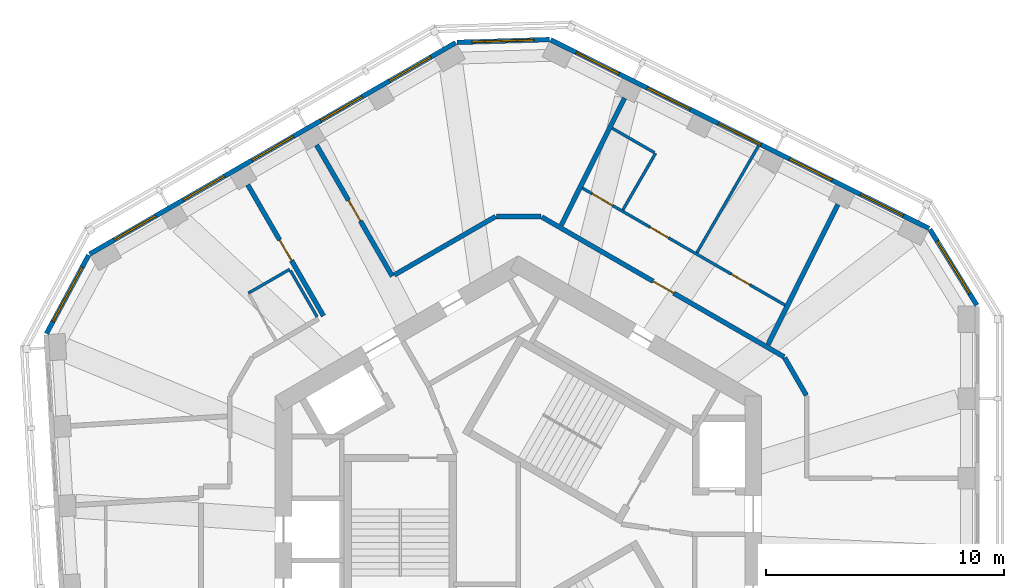
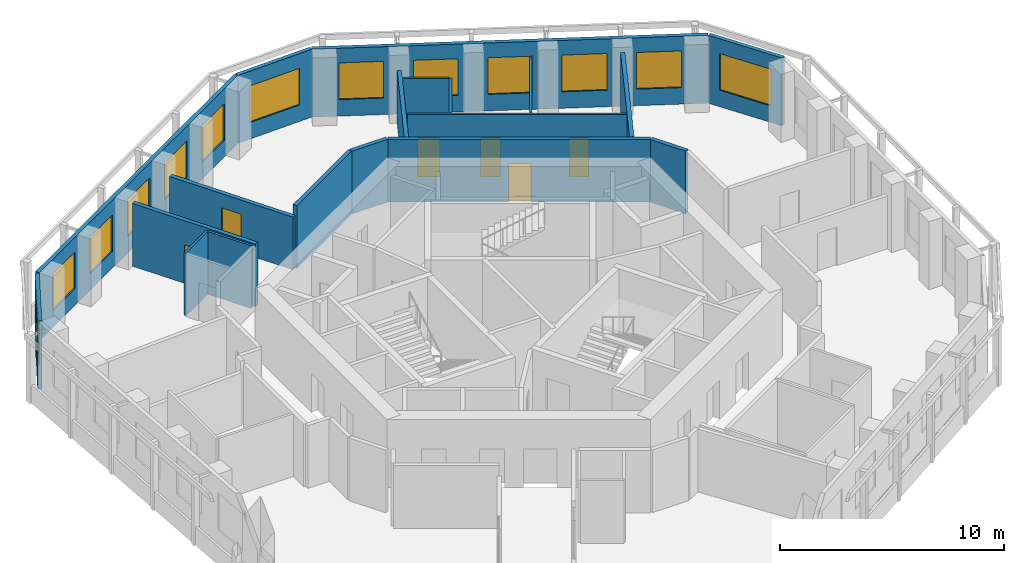
# One storey, part 7 of 10: 19 walls, 13 windows, 6 doors, 19 openings.
"""IFC4 building model written with IfcOpenShell, lengths in metres."""

from ifc_helpers import new_model, si_unit, direction, frame, frame_2d, origin, place, context, subcontext, project, spatial, rectangle, extrude, material, layer, layer_set, type_object, element, fill, save


model = new_model("IFC4")

# Units and contexts
model_context = context("Model", 3, precision=1e-05, world=origin(), true_north=direction((0.0, 1.0)))
body_context = subcontext(model_context, "Body", "Model", "MODEL_VIEW")
ifc_project = project(units=[si_unit("LENGTHUNIT", "METRE"), si_unit("AREAUNIT", "SQUARE_METRE"), si_unit("VOLUMEUNIT", "CUBIC_METRE"), si_unit("PLANEANGLEUNIT", "RADIAN"), si_unit("MASSUNIT", "GRAM", prefix="KILO")], contexts=[model_context])

# Site, building, storey
site_placement = place(None, origin())
site = spatial("IfcSite", under=ifc_project, at=site_placement, CompositionType="ELEMENT")
building_placement = place(site_placement, origin())
building = spatial("IfcBuilding", under=site, at=building_placement, Name="Vanh Sen Convention Tower", CompositionType="ELEMENT")
storey_placement = place(building_placement, frame((0.0, 0.0, 267.199951171875)))
storey = spatial("IfcBuildingStorey", under=building, at=storey_placement, Name="L66", CompositionType="ELEMENT", Elevation=267.199951171875)

# Walls
ifc_material_1 = material(Name="Moisture-resistant gypsum board on steel studs", Category="steel")
ifc_layer_1 = layer(ifc_material_1, 0.1201171875)
ifc_layer_set_1 = layer_set([ifc_layer_1], Name="Moisture-resistant gypsum board on steel studs")
wall_type_1 = type_object("IfcWallType", Name="Bathroom partition 120", PredefinedType="PARTITIONING", material=ifc_layer_set_1)
wall_1_placement = place(storey_placement, frame((-11.318603515625, 10.208251953125, 0.0), z_axis=(0.0, 0.0, 1.0), x_axis=(0.866010750942, 0.50002537861, 0.0)))
element("IfcWall", 1, at=wall_1_placement, inside=storey, type_object=wall_type_1, Name="Bathroom partition 120", PredefinedType="PARTITIONING", context=body_context, shape_type="SweptSolid", body=[
    extrude(rectangle(XDim=2.0, YDim=0.1201171875, at=frame_2d((1.0, 0.0))), origin(), (0.0, 0.0, 1.0), 3.420166015625),
])
wall_2_placement = place(storey_placement, frame((-9.556640625, 11.15625, 0.0), z_axis=(0.0, 0.0, 1.0), x_axis=(0.49994888933, -0.866054910533, 0.0)))
element("IfcWall", 2, at=wall_2_placement, inside=storey, type_object=wall_type_1, Name="Bathroom partition 120", PredefinedType="PARTITIONING", context=body_context, shape_type="SweptSolid", body=[
    extrude(rectangle(XDim=2.239990234375, YDim=0.1201171875, at=frame_2d((1.1201171875, 0.0))), origin(), (0.0, 0.0, 1.0), 3.420166015625),
])
wall_3_placement = place(storey_placement, frame((4.38818359375, 13.70166015625, 0.0), z_axis=(0.0, 0.0, 1.0), x_axis=(0.500048966069, 0.865997131366, 0.0)))
element("IfcWall", 3, at=wall_3_placement, inside=storey, type_object=wall_type_1, Name="Bathroom partition 120", PredefinedType="PARTITIONING", context=body_context, shape_type="SweptSolid", body=[
    extrude(rectangle(XDim=2.739990234375, YDim=0.1201171875, at=frame_2d((1.3701171875, 0.0))), origin(), (0.0, 0.0, 1.0), 3.420166015625),
])
wall_4_placement = place(storey_placement, frame((5.706298828125, 16.1044921875, 0.0), z_axis=(0.0, 0.0, 1.0), x_axis=(-0.866040114423, 0.499974519561, 0.0)))
element("IfcWall", 4, at=wall_4_placement, inside=storey, type_object=wall_type_1, Name="Bathroom partition 120", PredefinedType="PARTITIONING", context=body_context, shape_type="SweptSolid", body=[
    extrude(rectangle(XDim=2.0400390625, YDim=0.1201171875, at=frame_2d((1.02001953125, 0.0))), origin(), (0.0, 0.0, 1.0), 3.420166015625),
])
wall_5_placement = place(storey_placement, frame((10.07177734375, 16.376220703125, 0.0), z_axis=(0.0, 0.0, 1.0), x_axis=(-0.499972385701, -0.86604134632, 0.0)))
element("IfcWall", 5, at=wall_5_placement, inside=storey, type_object=wall_type_1, Name="Bathroom partition 120", PredefinedType="PARTITIONING", context=body_context, shape_type="SweptSolid", body=[
    extrude(rectangle(XDim=5.157958984375, YDim=0.1201171875, at=frame_2d((2.5791015625, 0.0))), origin(), (0.0, 0.0, 1.0), 2.8701171875),
])

# Wall, openings, doors
wall_6_placement = place(storey_placement, frame((11.186767578125, 9.707275390625, 0.0), z_axis=(0.0, 0.0, 1.0), x_axis=(-0.866033133531, 0.499986611447, 0.0)))
wall_6 = element("IfcWall", 6, at=wall_6_placement, inside=storey, type_object=wall_type_1, Name="Bathroom partition 120", PredefinedType="PARTITIONING", context=body_context, shape_type="SweptSolid", body=[
    extrude(rectangle(XDim=9.813720703125, YDim=0.1201171875, at=frame_2d((4.90673828125, 0.0))), origin(), (0.0, 0.0, 1.0), 3.420166015625),
])
opening_1_placement = place(wall_6_placement, frame((8.34912109375, 0.0, 0.0)))
opening_1 = element("IfcOpeningElement", 7, at=opening_1_placement, cuts=wall_6, Name="Opening D64103", PredefinedType="OPENING", context=body_context, shape_type="SweptSolid", body=[
    extrude(rectangle(XDim=1.0, YDim=2.10009765625, at=frame_2d((0.5, 1.050048828125))), frame((0.0, 0.070068359375, 0.0), z_axis=(0.0, -1.0, 0.0), x_axis=(1.0, 0.0, 0.0)), (0.0, 0.0, 1.0), 0.14013671875),
])
opening_2_placement = place(wall_6_placement, frame((1.699951171875, 0.0, 0.0)))
opening_2 = element("IfcOpeningElement", 8, at=opening_2_placement, cuts=wall_6, Name="Opening D64104", PredefinedType="OPENING", context=body_context, shape_type="SweptSolid", body=[
    extrude(rectangle(XDim=0.89990234375, YDim=2.10009765625, at=frame_2d((0.449951171875, 1.050048828125))), frame((0.0, 0.070068359375, 0.0), z_axis=(0.0, -1.0, 0.0), x_axis=(1.0, 0.0, 0.0)), (0.0, 0.0, 1.0), 0.14013671875),
])
opening_3_placement = place(wall_6_placement, frame((5.642333984375, 0.0, 0.0)))
opening_3 = element("IfcOpeningElement", 9, at=opening_3_placement, cuts=wall_6, Name="Opening D64105", PredefinedType="OPENING", context=body_context, shape_type="SweptSolid", body=[
    extrude(rectangle(XDim=0.89990234375, YDim=2.10009765625, at=frame_2d((0.449951171875, 1.050048828125))), frame((0.0, 0.070068359375, 0.0), z_axis=(0.0, -1.0, 0.0), x_axis=(1.0, 0.0, 0.0)), (0.0, 0.0, 1.0), 0.14013671875),
])
ifc_material_2 = material(Name="Laminate door in steel frame", Category="steel")
door_type_1 = type_object("IfcDoorType", Name="Accessible WC door 1000", OperationType="SINGLE_SWING_LEFT", PredefinedType="DOOR", material=ifc_material_2)
door_1_placement = place(opening_1_placement, origin())
door_1 = element("IfcDoor", 10, at=door_1_placement, inside=storey, type_object=door_type_1, Name="Accessible WC door D64103", OperationType="SINGLE_SWING_LEFT", OverallHeight=2.10009765625, OverallWidth=1.0, PredefinedType="DOOR", context=body_context, shape_type="SweptSolid", body=[
    extrude(rectangle(XDim=1.0, YDim=2.10009765625, at=frame_2d((0.5, 1.050048828125))), frame((0.0, 0.02490234375, 0.0), z_axis=(0.0, -1.0, 0.0), x_axis=(1.0, 0.0, 0.0)), (0.0, 0.0, 1.0), 0.050048828125),
])
fill(opening_1, door_1)
door_type_2 = type_object("IfcDoorType", Name="Room internal door 900", OperationType="SINGLE_SWING_LEFT", PredefinedType="DOOR", material=ifc_material_2)
door_2_placement = place(opening_2_placement, origin())
door_2 = element("IfcDoor", 11, at=door_2_placement, inside=storey, type_object=door_type_2, Name="Internal room door D64104", OperationType="SINGLE_SWING_LEFT", OverallHeight=2.10009765625, OverallWidth=0.89990234375, PredefinedType="DOOR", context=body_context, shape_type="SweptSolid", body=[
    extrude(rectangle(XDim=0.89990234375, YDim=2.10009765625, at=frame_2d((0.449951171875, 1.050048828125))), frame((0.0, 0.02490234375, 0.0), z_axis=(0.0, -1.0, 0.0), x_axis=(1.0, 0.0, 0.0)), (0.0, 0.0, 1.0), 0.050048828125),
])
fill(opening_2, door_2)
door_3_placement = place(opening_3_placement, origin())
door_3 = element("IfcDoor", 12, at=door_3_placement, inside=storey, type_object=door_type_2, Name="Internal room door D64105", OperationType="SINGLE_SWING_LEFT", OverallHeight=2.10009765625, OverallWidth=0.89990234375, PredefinedType="DOOR", context=body_context, shape_type="SweptSolid", body=[
    extrude(rectangle(XDim=0.89990234375, YDim=2.10009765625, at=frame_2d((0.449951171875, 1.050048828125))), frame((0.0, 0.02490234375, 0.0), z_axis=(0.0, -1.0, 0.0), x_axis=(1.0, 0.0, 0.0)), (0.0, 0.0, 1.0), 0.050048828125),
])
fill(opening_3, door_3)

# Wall, opening, door
ifc_material_3 = material(Name="Gypsum board on steel studs with mineral wool", Category="steel")
ifc_layer_2 = layer(ifc_material_3, 0.199951171875)
ifc_layer_set_2 = layer_set([ifc_layer_2], Name="Gypsum board on steel studs with mineral wool")
wall_type_2 = type_object("IfcWallType", Name="Corridor partition wall 200", PredefinedType="PARTITIONING", material=ifc_layer_set_2)
wall_7_placement = place(storey_placement, frame((-11.34521484375, 14.754150390625, 0.0), z_axis=(0.0, 0.0, 1.0), x_axis=(0.500005339912, -0.866022320763, 0.0)))
wall_7 = element("IfcWall", 13, at=wall_7_placement, inside=storey, type_object=wall_type_2, Name="Corridor partition wall 200", PredefinedType="PARTITIONING", context=body_context, shape_type="SweptSolid", body=[
    extrude(rectangle(XDim=6.35009765625, YDim=0.199951171875, at=frame_2d((3.175048828125, 0.0))), origin(), (0.0, 0.0, 1.0), 3.420166015625),
])
opening_4_placement = place(wall_7_placement, frame((2.675048828125, 0.0, 0.0)))
opening_4 = element("IfcOpeningElement", 14, at=opening_4_placement, cuts=wall_7, Name="Opening D64107", PredefinedType="OPENING", context=body_context, shape_type="SweptSolid", body=[
    extrude(rectangle(XDim=1.0, YDim=2.10009765625, at=frame_2d((0.5, 1.050048828125))), frame((0.0, 0.10986328125, 0.0), z_axis=(0.0, -1.0, 0.0), x_axis=(1.0, 0.0, 0.0)), (0.0, 0.0, 1.0), 0.219970703125),
])
ifc_material_4 = material(Name="Glazed fire door in steel frame", Category="steel")
door_type_3 = type_object("IfcDoorType", Name="Tenant entrance door 1000", OperationType="SINGLE_SWING_LEFT", PredefinedType="DOOR", material=ifc_material_4)
door_4_placement = place(opening_4_placement, origin())
door_4 = element("IfcDoor", 15, at=door_4_placement, inside=storey, type_object=door_type_3, Name="Tenant suite entrance door D64107", OperationType="SINGLE_SWING_LEFT", OverallHeight=2.10009765625, OverallWidth=1.0, PredefinedType="DOOR", context=body_context, shape_type="SweptSolid", body=[
    extrude(rectangle(XDim=1.0, YDim=2.10009765625, at=frame_2d((0.5, 1.050048828125))), frame((0.0, 0.02490234375, 0.0), z_axis=(0.0, -1.0, 0.0), x_axis=(1.0, 0.0, 0.0)), (0.0, 0.0, 1.0), 0.050048828125),
])
fill(opening_4, door_4)

wall_8_placement = place(storey_placement, frame((-8.4599609375, 16.419921875, 0.0), z_axis=(0.0, 0.0, 1.0), x_axis=(0.500005339912, -0.866022320763, 0.0)))
wall_8 = element("IfcWall", 16, at=wall_8_placement, inside=storey, type_object=wall_type_2, Name="Corridor partition wall 200", PredefinedType="PARTITIONING", context=body_context, shape_type="SweptSolid", body=[
    extrude(rectangle(XDim=6.35009765625, YDim=0.199951171875, at=frame_2d((3.175048828125, 0.0))), origin(), (0.0, 0.0, 1.0), 2.8701171875),
])
opening_5_placement = place(wall_8_placement, frame((2.675048828125, 0.0, 0.0)))
opening_5 = element("IfcOpeningElement", 17, at=opening_5_placement, cuts=wall_8, Name="Opening D64106", PredefinedType="OPENING", context=body_context, shape_type="SweptSolid", body=[
    extrude(rectangle(XDim=1.0, YDim=2.10009765625, at=frame_2d((0.5, 1.050048828125))), frame((0.0, 0.10986328125, 0.0), z_axis=(0.0, -1.0, 0.0), x_axis=(1.0, 0.0, 0.0)), (0.0, 0.0, 1.0), 0.219970703125),
])
ifc_material_5 = material(Name="Timber fire door in steel frame", Category="steel")
door_type_4 = type_object("IfcDoorType", Name="Floor room door 1000", OperationType="SINGLE_SWING_LEFT", PredefinedType="DOOR", material=ifc_material_5)
door_5_placement = place(opening_5_placement, origin())
door_5 = element("IfcDoor", 18, at=door_5_placement, inside=storey, type_object=door_type_4, Name="Meeting and amenity room door D64106", OperationType="SINGLE_SWING_LEFT", OverallHeight=2.10009765625, OverallWidth=1.0, PredefinedType="DOOR", context=body_context, shape_type="SweptSolid", body=[
    extrude(rectangle(XDim=1.0, YDim=2.10009765625, at=frame_2d((0.5, 1.050048828125))), frame((0.0, 0.02490234375, 0.0), z_axis=(0.0, -1.0, 0.0), x_axis=(1.0, 0.0, 0.0)), (0.0, 0.0, 1.0), 0.050048828125),
])
fill(opening_5, door_5)

# Walls
wall_9_placement = place(storey_placement, frame((-0.949951171875, 13.42333984375, 0.0), z_axis=(0.0, 0.0, 1.0), x_axis=(-0.86603557629, -0.499982380289, 0.0)))
element("IfcWall", 19, at=wall_9_placement, inside=storey, type_object=wall_type_2, Name="Corridor partition wall 200", PredefinedType="PARTITIONING", context=body_context, shape_type="SweptSolid", body=[
    extrude(rectangle(XDim=4.905517578125, YDim=0.199951171875, at=frame_2d((2.45263671875, 0.0))), origin(), (0.0, 0.0, 1.0), 3.420166015625),
])
wall_10_placement = place(storey_placement, frame((0.949951171875, 13.42333984375, 0.0), z_axis=(0.0, 0.0, 1.0), x_axis=(-1.0, 0.0, 0.0)))
element("IfcWall", 20, at=wall_10_placement, inside=storey, type_object=wall_type_2, Name="Corridor partition wall 200", PredefinedType="PARTITIONING", context=body_context, shape_type="SweptSolid", body=[
    extrude(rectangle(XDim=1.85986328125, YDim=0.199951171875, at=frame_2d((0.929931640625, 0.0))), origin(), (0.0, 0.0, 1.0), 3.420166015625),
])

# Wall, opening, door
wall_11_placement = place(storey_placement, frame((11.14990234375, 7.534423828125, 0.0), z_axis=(0.0, 0.0, 1.0), x_axis=(-0.866026603062, 0.499997922785, 0.0)))
wall_11 = element("IfcWall", 21, at=wall_11_placement, inside=storey, type_object=wall_type_2, Name="Corridor partition wall 200", PredefinedType="PARTITIONING", context=body_context, shape_type="SweptSolid", body=[
    extrude(rectangle(XDim=11.73779296875, YDim=0.199951171875, at=frame_2d((5.868896484375, 0.0))), origin(), (0.0, 0.0, 1.0), 3.420166015625),
])
opening_6_placement = place(wall_11_placement, frame((5.34521484375, 0.0, 0.0)))
opening_6 = element("IfcOpeningElement", 22, at=opening_6_placement, cuts=wall_11, Name="Opening D64102", PredefinedType="OPENING", context=body_context, shape_type="SweptSolid", body=[
    extrude(rectangle(XDim=1.0, YDim=2.10009765625, at=frame_2d((0.5, 1.050048828125))), frame((0.0, 0.10986328125, 0.0), z_axis=(0.0, -1.0, 0.0), x_axis=(1.0, 0.0, 0.0)), (0.0, 0.0, 1.0), 0.219970703125),
])
door_6_placement = place(opening_6_placement, origin())
door_6 = element("IfcDoor", 23, at=door_6_placement, inside=storey, type_object=door_type_4, Name="Meeting and amenity room door D64102", OperationType="SINGLE_SWING_LEFT", OverallHeight=2.10009765625, OverallWidth=1.0, PredefinedType="DOOR", context=body_context, shape_type="SweptSolid", body=[
    extrude(rectangle(XDim=1.0, YDim=2.10009765625, at=frame_2d((0.5, 1.050048828125))), frame((0.0, 0.02490234375, 0.0), z_axis=(0.0, -1.0, 0.0), x_axis=(1.0, 0.0, 0.0)), (0.0, 0.0, 1.0), 0.050048828125),
])
fill(opening_6, door_6)

# Wall
wall_12_placement = place(storey_placement, frame((12.080078125, 5.923583984375, 0.0), z_axis=(0.0, 0.0, 1.0), x_axis=(-0.500004960326, 0.86602253992, 0.0)))
element("IfcWall", 24, at=wall_12_placement, inside=storey, type_object=wall_type_2, Name="Corridor partition wall 200", PredefinedType="PARTITIONING", context=body_context, shape_type="SweptSolid", body=[
    extrude(rectangle(XDim=1.8203125, YDim=0.199951171875, at=frame_2d((0.91015625, 0.0))), origin(), (0.0, 0.0, 1.0), 3.420166015625),
])

# Wall, opening, window
ifc_material_6 = material(Name="Insulated lightweight infill wall")
ifc_layer_3 = layer(ifc_material_6, 0.199951171875)
ifc_layer_set_3 = layer_set([ifc_layer_3], Name="Insulated lightweight infill wall")
wall_type_3 = type_object("IfcWallType", Name="External wall 200", PredefinedType="STANDARD", material=ifc_layer_set_3)
wall_13_placement = place(storey_placement, frame((19.235107421875, 9.699951171875, 0.0), z_axis=(0.0, 0.0, 1.0), x_axis=(-0.526233475464, 0.850340125656, 0.0)))
wall_13 = element("IfcWall", 25, at=wall_13_placement, inside=storey, type_object=wall_type_3, Name="External wall CH1 L66", PredefinedType="STANDARD", context=body_context, shape_type="SweptSolid", body=[
    extrude(rectangle(XDim=3.746826171875, YDim=0.199951171875, at=frame_2d((1.87353515625, 0.0))), origin(), (0.0, 0.0, 1.0), 3.699951171875),
])
opening_7_placement = place(wall_13_placement, frame((0.573486328125, 0.0, 0.89990234375)))
opening_7 = element("IfcOpeningElement", 26, at=opening_7_placement, cuts=wall_13, Name="Opening WO6-CH11", PredefinedType="OPENING", context=body_context, shape_type="SweptSolid", body=[
    extrude(rectangle(XDim=2.60009765625, YDim=2.0, at=frame_2d((1.300048828125, 1.0))), frame((0.0, 0.10986328125, 0.0), z_axis=(0.0, -1.0, 0.0), x_axis=(1.0, 0.0, 0.0)), (0.0, 0.0, 1.0), 0.219970703125),
])
ifc_material_7 = material(Name="Aluminium frame with clear low-emissivity glass", Category="aluminium")
window_type_1 = type_object("IfcWindowType", Name="Office window 2600 x 2000", PartitioningType="SINGLE_PANEL", PredefinedType="WINDOW", material=ifc_material_7)
window_1_placement = place(opening_7_placement, origin())
window_1 = element("IfcWindow", 27, at=window_1_placement, inside=storey, type_object=window_type_1, Name="Window WO6-CH11", OverallHeight=2.0, OverallWidth=2.60009765625, PartitioningType="SINGLE_PANEL", PredefinedType="WINDOW", context=body_context, shape_type="SweptSolid", body=[
    extrude(rectangle(XDim=2.60009765625, YDim=2.0, at=frame_2d((1.300048828125, 1.0))), frame((0.0, 0.030029296875, 0.0), z_axis=(0.0, -1.0, 0.0), x_axis=(1.0, 0.0, 0.0)), (0.0, 0.0, 1.0), 0.06005859375),
])
fill(opening_7, window_1)

# Wall, openings, windows
wall_14_placement = place(storey_placement, frame((17.222900390625, 12.9228515625, 0.0), z_axis=(0.0, 0.0, 1.0), x_axis=(-0.894930561148, 0.44620543556, 0.0)))
wall_14 = element("IfcWall", 28, at=wall_14_placement, inside=storey, type_object=wall_type_3, Name="External wall NE L66", PredefinedType="STANDARD", context=body_context, shape_type="SweptSolid", body=[
    extrude(rectangle(XDim=17.7314453125, YDim=0.199951171875, at=frame_2d((8.86572265625, 0.0))), origin(), (0.0, 0.0, 1.0), 3.699951171875),
])
opening_8_placement = place(wall_14_placement, frame((1.20166015625, 0.0, 0.89990234375)))
opening_8 = element("IfcOpeningElement", 29, at=opening_8_placement, cuts=wall_14, Name="Opening WO5-NE1", PredefinedType="OPENING", context=body_context, shape_type="SweptSolid", body=[
    extrude(rectangle(XDim=2.0, YDim=2.0, at=frame_2d((1.0, 1.0))), frame((0.0, 0.10986328125, 0.0), z_axis=(0.0, -1.0, 0.0), x_axis=(1.0, 0.0, 0.0)), (0.0, 0.0, 1.0), 0.219970703125),
])
opening_9_placement = place(wall_14_placement, frame((4.533203125, 0.0, 0.89990234375)))
opening_9 = element("IfcOpeningElement", 30, at=opening_9_placement, cuts=wall_14, Name="Opening WO5-NE2", PredefinedType="OPENING", context=body_context, shape_type="SweptSolid", body=[
    extrude(rectangle(XDim=2.0, YDim=2.0, at=frame_2d((1.0, 1.0))), frame((0.0, 0.10986328125, 0.0), z_axis=(0.0, -1.0, 0.0), x_axis=(1.0, 0.0, 0.0)), (0.0, 0.0, 1.0), 0.219970703125),
])
opening_10_placement = place(wall_14_placement, frame((7.864990234375, 0.0, 0.89990234375)))
opening_10 = element("IfcOpeningElement", 31, at=opening_10_placement, cuts=wall_14, Name="Opening WO5-NE3", PredefinedType="OPENING", context=body_context, shape_type="SweptSolid", body=[
    extrude(rectangle(XDim=2.0, YDim=2.0, at=frame_2d((1.0, 1.0))), frame((0.0, 0.10986328125, 0.0), z_axis=(0.0, -1.0, 0.0), x_axis=(1.0, 0.0, 0.0)), (0.0, 0.0, 1.0), 0.219970703125),
])
opening_11_placement = place(wall_14_placement, frame((11.196533203125, 0.0, 0.89990234375)))
opening_11 = element("IfcOpeningElement", 32, at=opening_11_placement, cuts=wall_14, Name="Opening WO5-NE4", PredefinedType="OPENING", context=body_context, shape_type="SweptSolid", body=[
    extrude(rectangle(XDim=2.0, YDim=2.0, at=frame_2d((1.0, 1.0))), frame((0.0, 0.10986328125, 0.0), z_axis=(0.0, -1.0, 0.0), x_axis=(1.0, 0.0, 0.0)), (0.0, 0.0, 1.0), 0.219970703125),
])
opening_12_placement = place(wall_14_placement, frame((14.5283203125, 0.0, 0.89990234375)))
opening_12 = element("IfcOpeningElement", 33, at=opening_12_placement, cuts=wall_14, Name="Opening WO5-NE5", PredefinedType="OPENING", context=body_context, shape_type="SweptSolid", body=[
    extrude(rectangle(XDim=2.0, YDim=2.0, at=frame_2d((1.0, 1.0))), frame((0.0, 0.10986328125, 0.0), z_axis=(0.0, -1.0, 0.0), x_axis=(1.0, 0.0, 0.0)), (0.0, 0.0, 1.0), 0.219970703125),
])
window_type_2 = type_object("IfcWindowType", Name="Office window 2000 x 2000", PartitioningType="SINGLE_PANEL", PredefinedType="WINDOW", material=ifc_material_7)
window_2_placement = place(opening_8_placement, origin())
window_2 = element("IfcWindow", 34, at=window_2_placement, inside=storey, type_object=window_type_2, Name="Window WO5-NE1", OverallHeight=2.0, OverallWidth=2.0, PartitioningType="SINGLE_PANEL", PredefinedType="WINDOW", context=body_context, shape_type="SweptSolid", body=[
    extrude(rectangle(XDim=2.0, YDim=2.0, at=frame_2d((1.0, 1.0))), frame((0.0, 0.030029296875, 0.0), z_axis=(0.0, -1.0, 0.0), x_axis=(1.0, 0.0, 0.0)), (0.0, 0.0, 1.0), 0.06005859375),
])
fill(opening_8, window_2)
window_3_placement = place(opening_9_placement, origin())
window_3 = element("IfcWindow", 35, at=window_3_placement, inside=storey, type_object=window_type_2, Name="Window WO5-NE2", OverallHeight=2.0, OverallWidth=2.0, PartitioningType="SINGLE_PANEL", PredefinedType="WINDOW", context=body_context, shape_type="SweptSolid", body=[
    extrude(rectangle(XDim=2.0, YDim=2.0, at=frame_2d((1.0, 1.0))), frame((0.0, 0.030029296875, 0.0), z_axis=(0.0, -1.0, 0.0), x_axis=(1.0, 0.0, 0.0)), (0.0, 0.0, 1.0), 0.06005859375),
])
fill(opening_9, window_3)
window_4_placement = place(opening_10_placement, origin())
window_4 = element("IfcWindow", 36, at=window_4_placement, inside=storey, type_object=window_type_2, Name="Window WO5-NE3", OverallHeight=2.0, OverallWidth=2.0, PartitioningType="SINGLE_PANEL", PredefinedType="WINDOW", context=body_context, shape_type="SweptSolid", body=[
    extrude(rectangle(XDim=2.0, YDim=2.0, at=frame_2d((1.0, 1.0))), frame((0.0, 0.030029296875, 0.0), z_axis=(0.0, -1.0, 0.0), x_axis=(1.0, 0.0, 0.0)), (0.0, 0.0, 1.0), 0.06005859375),
])
fill(opening_10, window_4)
window_5_placement = place(opening_11_placement, origin())
window_5 = element("IfcWindow", 37, at=window_5_placement, inside=storey, type_object=window_type_2, Name="Window WO5-NE4", OverallHeight=2.0, OverallWidth=2.0, PartitioningType="SINGLE_PANEL", PredefinedType="WINDOW", context=body_context, shape_type="SweptSolid", body=[
    extrude(rectangle(XDim=2.0, YDim=2.0, at=frame_2d((1.0, 1.0))), frame((0.0, 0.030029296875, 0.0), z_axis=(0.0, -1.0, 0.0), x_axis=(1.0, 0.0, 0.0)), (0.0, 0.0, 1.0), 0.06005859375),
])
fill(opening_11, window_5)
window_6_placement = place(opening_12_placement, origin())
window_6 = element("IfcWindow", 38, at=window_6_placement, inside=storey, type_object=window_type_2, Name="Window WO5-NE5", OverallHeight=2.0, OverallWidth=2.0, PartitioningType="SINGLE_PANEL", PredefinedType="WINDOW", context=body_context, shape_type="SweptSolid", body=[
    extrude(rectangle(XDim=2.0, YDim=2.0, at=frame_2d((1.0, 1.0))), frame((0.0, 0.030029296875, 0.0), z_axis=(0.0, -1.0, 0.0), x_axis=(1.0, 0.0, 0.0)), (0.0, 0.0, 1.0), 0.06005859375),
])
fill(opening_12, window_6)

# Wall, opening, window
wall_15_placement = place(storey_placement, frame((1.306884765625, 20.84521484375, 0.0), z_axis=(0.0, 0.0, 1.0), x_axis=(-0.999533654813, -0.030536419175, 0.0)))
wall_15 = element("IfcWall", 39, at=wall_15_placement, inside=storey, type_object=wall_type_3, Name="External wall CH2 L66", PredefinedType="STANDARD", context=body_context, shape_type="SweptSolid", body=[
    extrude(rectangle(XDim=3.885498046875, YDim=0.199951171875, at=frame_2d((1.94287109375, 0.0))), origin(), (0.0, 0.0, 1.0), 3.699951171875),
])
opening_13_placement = place(wall_15_placement, frame((0.642822265625, 0.0, 0.89990234375)))
opening_13 = element("IfcOpeningElement", 40, at=opening_13_placement, cuts=wall_15, Name="Opening WO6-CH21", PredefinedType="OPENING", context=body_context, shape_type="SweptSolid", body=[
    extrude(rectangle(XDim=2.60009765625, YDim=2.0, at=frame_2d((1.300048828125, 1.0))), frame((0.0, 0.10986328125, 0.0), z_axis=(0.0, -1.0, 0.0), x_axis=(1.0, 0.0, 0.0)), (0.0, 0.0, 1.0), 0.219970703125),
])
window_7_placement = place(opening_13_placement, origin())
window_7 = element("IfcWindow", 41, at=window_7_placement, inside=storey, type_object=window_type_1, Name="Window WO6-CH21", OverallHeight=2.0, OverallWidth=2.60009765625, PartitioningType="SINGLE_PANEL", PredefinedType="WINDOW", context=body_context, shape_type="SweptSolid", body=[
    extrude(rectangle(XDim=2.60009765625, YDim=2.0, at=frame_2d((1.300048828125, 1.0))), frame((0.0, 0.030029296875, 0.0), z_axis=(0.0, -1.0, 0.0), x_axis=(1.0, 0.0, 0.0)), (0.0, 0.0, 1.0), 0.06005859375),
])
fill(opening_13, window_7)

# Wall, openings, windows
wall_16_placement = place(storey_placement, frame((-2.623779296875, 20.713134765625, 0.0), z_axis=(0.0, 0.0, 1.0), x_axis=(-0.866026460444, -0.499998169808, 0.0)))
wall_16 = element("IfcWall", 42, at=wall_16_placement, inside=storey, type_object=wall_type_3, Name="External wall NW L66", PredefinedType="STANDARD", context=body_context, shape_type="SweptSolid", body=[
    extrude(rectangle(XDim=17.7314453125, YDim=0.199951171875, at=frame_2d((8.86572265625, 0.0))), origin(), (0.0, 0.0, 1.0), 3.699951171875),
])
opening_14_placement = place(wall_16_placement, frame((1.203125, 0.0, 0.89990234375)))
opening_14 = element("IfcOpeningElement", 43, at=opening_14_placement, cuts=wall_16, Name="Opening WO5-NW1", PredefinedType="OPENING", context=body_context, shape_type="SweptSolid", body=[
    extrude(rectangle(XDim=2.0, YDim=2.0, at=frame_2d((1.0, 1.0))), frame((0.0, 0.10986328125, 0.0), z_axis=(0.0, -1.0, 0.0), x_axis=(1.0, 0.0, 0.0)), (0.0, 0.0, 1.0), 0.219970703125),
])
opening_15_placement = place(wall_16_placement, frame((4.534912109375, 0.0, 0.89990234375)))
opening_15 = element("IfcOpeningElement", 44, at=opening_15_placement, cuts=wall_16, Name="Opening WO5-NW2", PredefinedType="OPENING", context=body_context, shape_type="SweptSolid", body=[
    extrude(rectangle(XDim=2.0, YDim=2.0, at=frame_2d((1.0, 1.0))), frame((0.0, 0.10986328125, 0.0), z_axis=(0.0, -1.0, 0.0), x_axis=(1.0, 0.0, 0.0)), (0.0, 0.0, 1.0), 0.219970703125),
])
opening_16_placement = place(wall_16_placement, frame((7.86669921875, 0.0, 0.89990234375)))
opening_16 = element("IfcOpeningElement", 45, at=opening_16_placement, cuts=wall_16, Name="Opening WO5-NW3", PredefinedType="OPENING", context=body_context, shape_type="SweptSolid", body=[
    extrude(rectangle(XDim=2.0, YDim=2.0, at=frame_2d((1.0, 1.0))), frame((0.0, 0.10986328125, 0.0), z_axis=(0.0, -1.0, 0.0), x_axis=(1.0, 0.0, 0.0)), (0.0, 0.0, 1.0), 0.219970703125),
])
opening_17_placement = place(wall_16_placement, frame((11.1982421875, 0.0, 0.89990234375)))
opening_17 = element("IfcOpeningElement", 46, at=opening_17_placement, cuts=wall_16, Name="Opening WO5-NW4", PredefinedType="OPENING", context=body_context, shape_type="SweptSolid", body=[
    extrude(rectangle(XDim=2.0, YDim=2.0, at=frame_2d((1.0, 1.0))), frame((0.0, 0.10986328125, 0.0), z_axis=(0.0, -1.0, 0.0), x_axis=(1.0, 0.0, 0.0)), (0.0, 0.0, 1.0), 0.219970703125),
])
opening_18_placement = place(wall_16_placement, frame((14.52978515625, 0.0, 0.89990234375)))
opening_18 = element("IfcOpeningElement", 47, at=opening_18_placement, cuts=wall_16, Name="Opening WO5-NW5", PredefinedType="OPENING", context=body_context, shape_type="SweptSolid", body=[
    extrude(rectangle(XDim=2.0, YDim=2.0, at=frame_2d((1.0, 1.0))), frame((0.0, 0.10986328125, 0.0), z_axis=(0.0, -1.0, 0.0), x_axis=(1.0, 0.0, 0.0)), (0.0, 0.0, 1.0), 0.219970703125),
])
window_8_placement = place(opening_14_placement, origin())
window_8 = element("IfcWindow", 48, at=window_8_placement, inside=storey, type_object=window_type_2, Name="Window WO5-NW1", OverallHeight=2.0, OverallWidth=2.0, PartitioningType="SINGLE_PANEL", PredefinedType="WINDOW", context=body_context, shape_type="SweptSolid", body=[
    extrude(rectangle(XDim=2.0, YDim=2.0, at=frame_2d((1.0, 1.0))), frame((0.0, 0.030029296875, 0.0), z_axis=(0.0, -1.0, 0.0), x_axis=(1.0, 0.0, 0.0)), (0.0, 0.0, 1.0), 0.06005859375),
])
fill(opening_14, window_8)
window_9_placement = place(opening_15_placement, origin())
window_9 = element("IfcWindow", 49, at=window_9_placement, inside=storey, type_object=window_type_2, Name="Window WO5-NW2", OverallHeight=2.0, OverallWidth=2.0, PartitioningType="SINGLE_PANEL", PredefinedType="WINDOW", context=body_context, shape_type="SweptSolid", body=[
    extrude(rectangle(XDim=2.0, YDim=2.0, at=frame_2d((1.0, 1.0))), frame((0.0, 0.030029296875, 0.0), z_axis=(0.0, -1.0, 0.0), x_axis=(1.0, 0.0, 0.0)), (0.0, 0.0, 1.0), 0.06005859375),
])
fill(opening_15, window_9)
window_10_placement = place(opening_16_placement, origin())
window_10 = element("IfcWindow", 50, at=window_10_placement, inside=storey, type_object=window_type_2, Name="Window WO5-NW3", OverallHeight=2.0, OverallWidth=2.0, PartitioningType="SINGLE_PANEL", PredefinedType="WINDOW", context=body_context, shape_type="SweptSolid", body=[
    extrude(rectangle(XDim=2.0, YDim=2.0, at=frame_2d((1.0, 1.0))), frame((0.0, 0.030029296875, 0.0), z_axis=(0.0, -1.0, 0.0), x_axis=(1.0, 0.0, 0.0)), (0.0, 0.0, 1.0), 0.06005859375),
])
fill(opening_16, window_10)
window_11_placement = place(opening_17_placement, origin())
window_11 = element("IfcWindow", 51, at=window_11_placement, inside=storey, type_object=window_type_2, Name="Window WO5-NW4", OverallHeight=2.0, OverallWidth=2.0, PartitioningType="SINGLE_PANEL", PredefinedType="WINDOW", context=body_context, shape_type="SweptSolid", body=[
    extrude(rectangle(XDim=2.0, YDim=2.0, at=frame_2d((1.0, 1.0))), frame((0.0, 0.030029296875, 0.0), z_axis=(0.0, -1.0, 0.0), x_axis=(1.0, 0.0, 0.0)), (0.0, 0.0, 1.0), 0.06005859375),
])
fill(opening_17, window_11)
window_12_placement = place(opening_18_placement, origin())
window_12 = element("IfcWindow", 52, at=window_12_placement, inside=storey, type_object=window_type_2, Name="Window WO5-NW5", OverallHeight=2.0, OverallWidth=2.0, PartitioningType="SINGLE_PANEL", PredefinedType="WINDOW", context=body_context, shape_type="SweptSolid", body=[
    extrude(rectangle(XDim=2.0, YDim=2.0, at=frame_2d((1.0, 1.0))), frame((0.0, 0.030029296875, 0.0), z_axis=(0.0, -1.0, 0.0), x_axis=(1.0, 0.0, 0.0)), (0.0, 0.0, 1.0), 0.06005859375),
])
fill(opening_18, window_12)

# Wall, opening, window
wall_17_placement = place(storey_placement, frame((-18.017822265625, 11.80810546875, 0.0), z_axis=(0.0, 0.0, 1.0), x_axis=(-0.473318619185, -0.880891301315, 0.0)))
wall_17 = element("IfcWall", 53, at=wall_17_placement, inside=storey, type_object=wall_type_3, Name="External wall CH3 L66", PredefinedType="STANDARD", context=body_context, shape_type="SweptSolid", body=[
    extrude(rectangle(XDim=3.746826171875, YDim=0.199951171875, at=frame_2d((1.87353515625, 0.0))), origin(), (0.0, 0.0, 1.0), 3.699951171875),
])
opening_19_placement = place(wall_17_placement, frame((0.5732421875, 0.0, 0.89990234375)))
opening_19 = element("IfcOpeningElement", 54, at=opening_19_placement, cuts=wall_17, Name="Opening WO6-CH31", PredefinedType="OPENING", context=body_context, shape_type="SweptSolid", body=[
    extrude(rectangle(XDim=2.60009765625, YDim=2.0, at=frame_2d((1.300048828125, 1.0))), frame((0.0, 0.10986328125, 0.0), z_axis=(0.0, -1.0, 0.0), x_axis=(1.0, 0.0, 0.0)), (0.0, 0.0, 1.0), 0.219970703125),
])
window_13_placement = place(opening_19_placement, origin())
window_13 = element("IfcWindow", 55, at=window_13_placement, inside=storey, type_object=window_type_1, Name="Window WO6-CH31", OverallHeight=2.0, OverallWidth=2.60009765625, PartitioningType="SINGLE_PANEL", PredefinedType="WINDOW", context=body_context, shape_type="SweptSolid", body=[
    extrude(rectangle(XDim=2.60009765625, YDim=2.0, at=frame_2d((1.300048828125, 1.0))), frame((0.0, 0.030029296875, 0.0), z_axis=(0.0, -1.0, 0.0), x_axis=(1.0, 0.0, 0.0)), (0.0, 0.0, 1.0), 0.06005859375),
])
fill(opening_19, window_13)

# Walls
ifc_layer_4 = layer(ifc_material_3, 0.199951171875)
ifc_layer_set_4 = layer_set([ifc_layer_4], Name="Gypsum board on steel studs with mineral wool")
wall_type_4 = type_object("IfcWallType", Name="Tenant suite wall 200", PredefinedType="PARTITIONING", material=ifc_layer_set_4)
wall_18_placement = place(storey_placement, frame((4.460205078125, 18.392333984375, 0.0), z_axis=(0.0, 0.0, 1.0), x_axis=(-0.446197360024, -0.894934587502, 0.0)))
element("IfcWall", 56, at=wall_18_placement, inside=storey, type_object=wall_type_4, Name="Tenant suite wall 200", PredefinedType="PARTITIONING", context=body_context, shape_type="SweptSolid", body=[
    extrude(rectangle(XDim=5.959716796875, YDim=0.199951171875, at=frame_2d((2.97998046875, 0.0))), origin(), (0.0, 0.0, 1.0), 2.8701171875),
])
wall_19_placement = place(storey_placement, frame((13.40478515625, 13.9326171875, 0.0), z_axis=(0.0, 0.0, 1.0), x_axis=(-0.446187838644, -0.894939334618, 0.0)))
element("IfcWall", 57, at=wall_19_placement, inside=storey, type_object=wall_type_4, Name="Tenant suite wall 200", PredefinedType="PARTITIONING", context=body_context, shape_type="SweptSolid", body=[
    extrude(rectangle(XDim=6.571044921875, YDim=0.199951171875, at=frame_2d((3.28564453125, 0.0))), origin(), (0.0, 0.0, 1.0), 3.420166015625),
])

save(model, "model.ifc")
